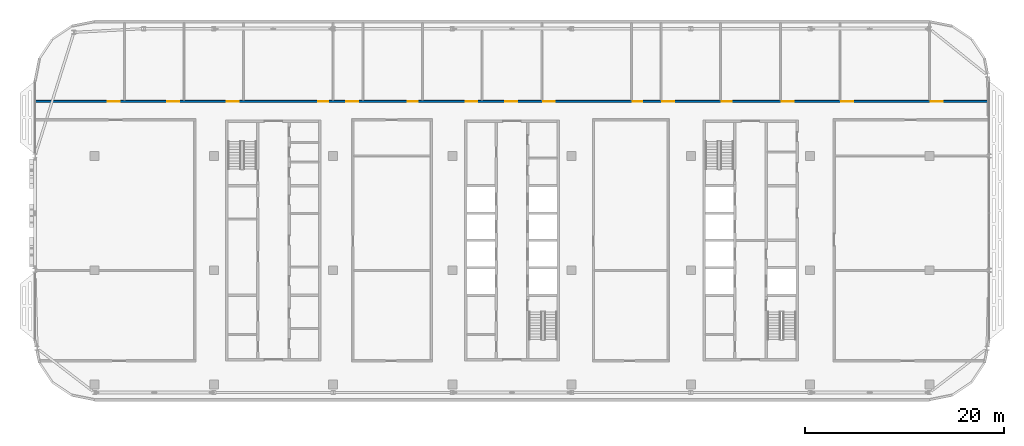
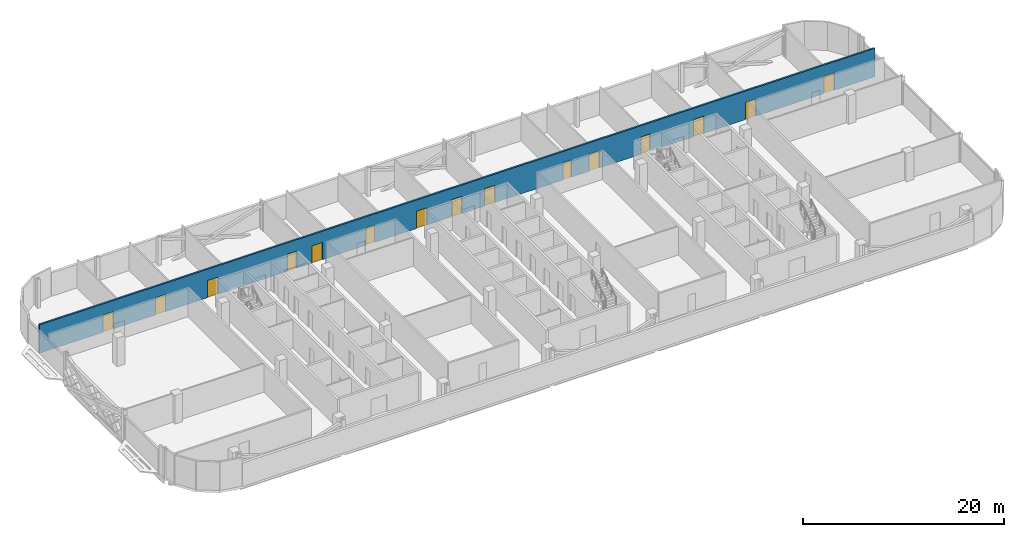
# One storey, part 16 of 29: 15 doors, 1 wall, 15 openings.
"""IFC4 building model written with IfcOpenShell, lengths in metres."""

from ifc_helpers import new_model, si_unit, direction, frame, frame_2d, origin, place, context, subcontext, project, spatial, rectangle, extrude, material, layer, layer_set, type_object, element, fill, save


model = new_model("IFC4")

# Units and contexts
model_context = context("Model", 3, precision=1e-05, world=origin(), true_north=direction((0.0, 1.0)))
body_context = subcontext(model_context, "Body", "Model", "MODEL_VIEW")
ifc_project = project(units=[si_unit("LENGTHUNIT", "METRE"), si_unit("AREAUNIT", "SQUARE_METRE"), si_unit("VOLUMEUNIT", "CUBIC_METRE"), si_unit("PLANEANGLEUNIT", "RADIAN"), si_unit("MASSUNIT", "GRAM", prefix="KILO")], contexts=[model_context])

# Site, building, storey
site_placement = place(None, origin())
site = spatial("IfcSite", under=ifc_project, at=site_placement, CompositionType="ELEMENT")
building_placement = place(site_placement, origin())
building = spatial("IfcBuilding", under=site, at=building_placement, Name="Mahtab Terrace Research Tower", CompositionType="ELEMENT")
storey_placement = place(building_placement, frame((0.0, 0.0, 274.699951171875)))
storey = spatial("IfcBuildingStorey", under=building, at=storey_placement, Name="L67", CompositionType="ELEMENT", Elevation=274.699951171875)

# Wall, openings, doors
ifc_material_1 = material(Name="Gypsum board corridor wall on steel studs", Category="steel")
ifc_layer = layer(ifc_material_1, 0.199951171875)
ifc_layer_set = layer_set([ifc_layer], Name="WALL CORRIDOR 200")
wall_type = type_object("IfcWallType", Name="WALL CORRIDOR 200", PredefinedType="PARTITIONING", material=ifc_layer_set)
wall_placement = place(storey_placement, frame((-47.97509765625, 17.0, 0.0), z_axis=(0.0, 0.0, 1.0), x_axis=(1.0, 0.0, 0.0)))
wall = element("IfcWall", 1, at=wall_placement, inside=storey, type_object=wall_type, Name="L67-W018", PredefinedType="PARTITIONING", context=body_context, shape_type="SweptSolid", body=[
    extrude(rectangle(XDim=95.9501953125, YDim=0.199951171875, at=frame_2d((47.97509765625, 0.0))), origin(), (0.0, 0.0, 1.0), 3.4599609375),
])
opening_1_placement = place(wall_placement, frame((7.300048828125, 0.0, 0.0)))
opening_1 = element("IfcOpeningElement", 2, at=opening_1_placement, cuts=wall, Name="Opening L67-111", PredefinedType="OPENING", context=body_context, shape_type="SweptSolid", body=[
    extrude(rectangle(XDim=1.199951171875, YDim=2.10009765625, at=frame_2d((0.60009765625, 1.050048828125))), frame((0.0, 0.10986328125, 0.0), z_axis=(0.0, -1.0, 0.0), x_axis=(1.0, 0.0, 0.0)), (0.0, 0.0, 1.0), 0.219970703125),
])
opening_2_placement = place(wall_placement, frame((13.300048828125, 0.0, 0.0)))
opening_2 = element("IfcOpeningElement", 3, at=opening_2_placement, cuts=wall, Name="Opening L67-112", PredefinedType="OPENING", context=body_context, shape_type="SweptSolid", body=[
    extrude(rectangle(XDim=1.199951171875, YDim=2.10009765625, at=frame_2d((0.60009765625, 1.050048828125))), frame((0.0, 0.10986328125, 0.0), z_axis=(0.0, -1.0, 0.0), x_axis=(1.0, 0.0, 0.0)), (0.0, 0.0, 1.0), 0.219970703125),
])
opening_3_placement = place(wall_placement, frame((19.300048828125, 0.0, 0.0)))
opening_3 = element("IfcOpeningElement", 4, at=opening_3_placement, cuts=wall, Name="Opening L67-113", PredefinedType="OPENING", context=body_context, shape_type="SweptSolid", body=[
    extrude(rectangle(XDim=1.199951171875, YDim=2.10009765625, at=frame_2d((0.60009765625, 1.050048828125))), frame((0.0, 0.10986328125, 0.0), z_axis=(0.0, -1.0, 0.0), x_axis=(1.0, 0.0, 0.0)), (0.0, 0.0, 1.0), 0.219970703125),
])
opening_4_placement = place(wall_placement, frame((28.5, 0.0, 0.0)))
opening_4 = element("IfcOpeningElement", 5, at=opening_4_placement, cuts=wall, Name="Opening L67-114", PredefinedType="OPENING", context=body_context, shape_type="SweptSolid", body=[
    extrude(rectangle(XDim=1.0, YDim=2.10009765625, at=frame_2d((0.5, 1.050048828125))), frame((0.0, 0.10986328125, 0.0), z_axis=(0.0, -1.0, 0.0), x_axis=(1.0, 0.0, 0.0)), (0.0, 0.0, 1.0), 0.219970703125),
])
opening_5_placement = place(wall_placement, frame((31.300048828125, 0.0, 0.0)))
opening_5 = element("IfcOpeningElement", 6, at=opening_5_placement, cuts=wall, Name="Opening L67-115", PredefinedType="OPENING", context=body_context, shape_type="SweptSolid", body=[
    extrude(rectangle(XDim=1.199951171875, YDim=2.10009765625, at=frame_2d((0.60009765625, 1.050048828125))), frame((0.0, 0.10986328125, 0.0), z_axis=(0.0, -1.0, 0.0), x_axis=(1.0, 0.0, 0.0)), (0.0, 0.0, 1.0), 0.219970703125),
])
opening_6_placement = place(wall_placement, frame((37.5, 0.0, 0.0)))
opening_6 = element("IfcOpeningElement", 7, at=opening_6_placement, cuts=wall, Name="Opening L67-116", PredefinedType="OPENING", context=body_context, shape_type="SweptSolid", body=[
    extrude(rectangle(XDim=1.0, YDim=2.10009765625, at=frame_2d((0.5, 1.050048828125))), frame((0.0, 0.10986328125, 0.0), z_axis=(0.0, -1.0, 0.0), x_axis=(1.0, 0.0, 0.0)), (0.0, 0.0, 1.0), 0.219970703125),
])
opening_7_placement = place(wall_placement, frame((43.300048828125, 0.0, 0.0)))
opening_7 = element("IfcOpeningElement", 8, at=opening_7_placement, cuts=wall, Name="Opening L67-117", PredefinedType="OPENING", context=body_context, shape_type="SweptSolid", body=[
    extrude(rectangle(XDim=1.199951171875, YDim=2.10009765625, at=frame_2d((0.60009765625, 1.050048828125))), frame((0.0, 0.10986328125, 0.0), z_axis=(0.0, -1.0, 0.0), x_axis=(1.0, 0.0, 0.0)), (0.0, 0.0, 1.0), 0.219970703125),
])
opening_8_placement = place(wall_placement, frame((47.300048828125, 0.0, 0.0)))
opening_8 = element("IfcOpeningElement", 9, at=opening_8_placement, cuts=wall, Name="Opening L67-118", PredefinedType="OPENING", context=body_context, shape_type="SweptSolid", body=[
    extrude(rectangle(XDim=1.199951171875, YDim=2.10009765625, at=frame_2d((0.60009765625, 1.050048828125))), frame((0.0, 0.10986328125, 0.0), z_axis=(0.0, -1.0, 0.0), x_axis=(1.0, 0.0, 0.0)), (0.0, 0.0, 1.0), 0.219970703125),
])
opening_9_placement = place(wall_placement, frame((51.10009765625, 0.0, 0.0)))
opening_9 = element("IfcOpeningElement", 10, at=opening_9_placement, cuts=wall, Name="Opening L67-119", PredefinedType="OPENING", context=body_context, shape_type="SweptSolid", body=[
    extrude(rectangle(XDim=1.199951171875, YDim=2.10009765625, at=frame_2d((0.60009765625, 1.050048828125))), frame((0.0, 0.10986328125, 0.0), z_axis=(0.0, -1.0, 0.0), x_axis=(1.0, 0.0, 0.0)), (0.0, 0.0, 1.0), 0.219970703125),
])
opening_10_placement = place(wall_placement, frame((60.10009765625, 0.0, 0.0)))
opening_10 = element("IfcOpeningElement", 11, at=opening_10_placement, cuts=wall, Name="Opening L67-120", PredefinedType="OPENING", context=body_context, shape_type="SweptSolid", body=[
    extrude(rectangle(XDim=1.0, YDim=2.10009765625, at=frame_2d((0.5, 1.050048828125))), frame((0.0, 0.10986328125, 0.0), z_axis=(0.0, -1.0, 0.0), x_axis=(1.0, 0.0, 0.0)), (0.0, 0.0, 1.0), 0.219970703125),
])
opening_11_placement = place(wall_placement, frame((63.10009765625, 0.0, 0.0)))
opening_11 = element("IfcOpeningElement", 12, at=opening_11_placement, cuts=wall, Name="Opening L67-121", PredefinedType="OPENING", context=body_context, shape_type="SweptSolid", body=[
    extrude(rectangle(XDim=1.199951171875, YDim=2.10009765625, at=frame_2d((0.60009765625, 1.050048828125))), frame((0.0, 0.10986328125, 0.0), z_axis=(0.0, -1.0, 0.0), x_axis=(1.0, 0.0, 0.0)), (0.0, 0.0, 1.0), 0.219970703125),
])
opening_12_placement = place(wall_placement, frame((69.10009765625, 0.0, 0.0)))
opening_12 = element("IfcOpeningElement", 13, at=opening_12_placement, cuts=wall, Name="Opening L67-122", PredefinedType="OPENING", context=body_context, shape_type="SweptSolid", body=[
    extrude(rectangle(XDim=1.0, YDim=2.10009765625, at=frame_2d((0.5, 1.050048828125))), frame((0.0, 0.10986328125, 0.0), z_axis=(0.0, -1.0, 0.0), x_axis=(1.0, 0.0, 0.0)), (0.0, 0.0, 1.0), 0.219970703125),
])
opening_13_placement = place(wall_placement, frame((75.10009765625, 0.0, 0.0)))
opening_13 = element("IfcOpeningElement", 14, at=opening_13_placement, cuts=wall, Name="Opening L67-123", PredefinedType="OPENING", context=body_context, shape_type="SweptSolid", body=[
    extrude(rectangle(XDim=1.199951171875, YDim=2.10009765625, at=frame_2d((0.60009765625, 1.050048828125))), frame((0.0, 0.10986328125, 0.0), z_axis=(0.0, -1.0, 0.0), x_axis=(1.0, 0.0, 0.0)), (0.0, 0.0, 1.0), 0.219970703125),
])
opening_14_placement = place(wall_placement, frame((81.10009765625, 0.0, 0.0)))
opening_14 = element("IfcOpeningElement", 15, at=opening_14_placement, cuts=wall, Name="Opening L67-124", PredefinedType="OPENING", context=body_context, shape_type="SweptSolid", body=[
    extrude(rectangle(XDim=1.199951171875, YDim=2.10009765625, at=frame_2d((0.60009765625, 1.050048828125))), frame((0.0, 0.10986328125, 0.0), z_axis=(0.0, -1.0, 0.0), x_axis=(1.0, 0.0, 0.0)), (0.0, 0.0, 1.0), 0.219970703125),
])
opening_15_placement = place(wall_placement, frame((90.10009765625, 0.0, 0.0)))
opening_15 = element("IfcOpeningElement", 16, at=opening_15_placement, cuts=wall, Name="Opening L67-125", PredefinedType="OPENING", context=body_context, shape_type="SweptSolid", body=[
    extrude(rectangle(XDim=1.199951171875, YDim=2.10009765625, at=frame_2d((0.60009765625, 1.050048828125))), frame((0.0, 0.10986328125, 0.0), z_axis=(0.0, -1.0, 0.0), x_axis=(1.0, 0.0, 0.0)), (0.0, 0.0, 1.0), 0.219970703125),
])
ifc_material_2 = material(Name="Timber door leaf in steel frame", Category="steel")
door_type_1 = type_object("IfcDoorType", Name="DOOR 1000X2100 FD30S", OperationType="SINGLE_SWING_LEFT", PredefinedType="DOOR", material=ifc_material_2)
door_1_placement = place(opening_4_placement, origin())
door_1 = element("IfcDoor", 17, at=door_1_placement, inside=storey, type_object=door_type_1, Name="Door L67-114", OperationType="SINGLE_SWING_LEFT", OverallHeight=2.10009765625, OverallWidth=1.0, PredefinedType="DOOR", context=body_context, shape_type="SweptSolid", body=[
    extrude(rectangle(XDim=1.0, YDim=2.10009765625, at=frame_2d((0.5, 1.050048828125))), frame((0.0, 0.02490234375, 0.0), z_axis=(0.0, -1.0, 0.0), x_axis=(1.0, 0.0, 0.0)), (0.0, 0.0, 1.0), 0.050048828125),
])
fill(opening_4, door_1)
door_2_placement = place(opening_6_placement, origin())
door_2 = element("IfcDoor", 18, at=door_2_placement, inside=storey, type_object=door_type_1, Name="Door L67-116", OperationType="SINGLE_SWING_LEFT", OverallHeight=2.10009765625, OverallWidth=1.0, PredefinedType="DOOR", context=body_context, shape_type="SweptSolid", body=[
    extrude(rectangle(XDim=1.0, YDim=2.10009765625, at=frame_2d((0.5, 1.050048828125))), frame((0.0, 0.02490234375, 0.0), z_axis=(0.0, -1.0, 0.0), x_axis=(1.0, 0.0, 0.0)), (0.0, 0.0, 1.0), 0.050048828125),
])
fill(opening_6, door_2)
door_3_placement = place(opening_10_placement, origin())
door_3 = element("IfcDoor", 19, at=door_3_placement, inside=storey, type_object=door_type_1, Name="Door L67-120", OperationType="SINGLE_SWING_RIGHT", OverallHeight=2.10009765625, OverallWidth=1.0, PredefinedType="DOOR", context=body_context, shape_type="SweptSolid", body=[
    extrude(rectangle(XDim=1.0, YDim=2.10009765625, at=frame_2d((0.5, 1.050048828125))), frame((0.0, 0.02490234375, 0.0), z_axis=(0.0, -1.0, 0.0), x_axis=(1.0, 0.0, 0.0)), (0.0, 0.0, 1.0), 0.050048828125),
])
fill(opening_10, door_3)
door_4_placement = place(opening_12_placement, origin())
door_4 = element("IfcDoor", 20, at=door_4_placement, inside=storey, type_object=door_type_1, Name="Door L67-122", OperationType="SINGLE_SWING_RIGHT", OverallHeight=2.10009765625, OverallWidth=1.0, PredefinedType="DOOR", context=body_context, shape_type="SweptSolid", body=[
    extrude(rectangle(XDim=1.0, YDim=2.10009765625, at=frame_2d((0.5, 1.050048828125))), frame((0.0, 0.02490234375, 0.0), z_axis=(0.0, -1.0, 0.0), x_axis=(1.0, 0.0, 0.0)), (0.0, 0.0, 1.0), 0.050048828125),
])
fill(opening_12, door_4)
door_type_2 = type_object("IfcDoorType", Name="DOOR 1200X2100 FD30S", OperationType="SINGLE_SWING_LEFT", PredefinedType="DOOR", material=ifc_material_2)
door_5_placement = place(opening_1_placement, origin())
door_5 = element("IfcDoor", 21, at=door_5_placement, inside=storey, type_object=door_type_2, Name="Door L67-111", OperationType="SINGLE_SWING_LEFT", OverallHeight=2.10009765625, OverallWidth=1.199951171875, PredefinedType="DOOR", context=body_context, shape_type="SweptSolid", body=[
    extrude(rectangle(XDim=1.199951171875, YDim=2.10009765625, at=frame_2d((0.60009765625, 1.050048828125))), frame((0.0, 0.02490234375, 0.0), z_axis=(0.0, -1.0, 0.0), x_axis=(1.0, 0.0, 0.0)), (0.0, 0.0, 1.0), 0.050048828125),
])
fill(opening_1, door_5)
door_6_placement = place(opening_2_placement, origin())
door_6 = element("IfcDoor", 22, at=door_6_placement, inside=storey, type_object=door_type_2, Name="Door L67-112", OperationType="SINGLE_SWING_LEFT", OverallHeight=2.10009765625, OverallWidth=1.199951171875, PredefinedType="DOOR", context=body_context, shape_type="SweptSolid", body=[
    extrude(rectangle(XDim=1.199951171875, YDim=2.10009765625, at=frame_2d((0.60009765625, 1.050048828125))), frame((0.0, 0.02490234375, 0.0), z_axis=(0.0, -1.0, 0.0), x_axis=(1.0, 0.0, 0.0)), (0.0, 0.0, 1.0), 0.050048828125),
])
fill(opening_2, door_6)
door_7_placement = place(opening_3_placement, origin())
door_7 = element("IfcDoor", 23, at=door_7_placement, inside=storey, type_object=door_type_2, Name="Door L67-113", OperationType="SINGLE_SWING_LEFT", OverallHeight=2.10009765625, OverallWidth=1.199951171875, PredefinedType="DOOR", context=body_context, shape_type="SweptSolid", body=[
    extrude(rectangle(XDim=1.199951171875, YDim=2.10009765625, at=frame_2d((0.60009765625, 1.050048828125))), frame((0.0, 0.02490234375, 0.0), z_axis=(0.0, -1.0, 0.0), x_axis=(1.0, 0.0, 0.0)), (0.0, 0.0, 1.0), 0.050048828125),
])
fill(opening_3, door_7)
door_8_placement = place(opening_5_placement, origin())
door_8 = element("IfcDoor", 24, at=door_8_placement, inside=storey, type_object=door_type_2, Name="Door L67-115", OperationType="SINGLE_SWING_LEFT", OverallHeight=2.10009765625, OverallWidth=1.199951171875, PredefinedType="DOOR", context=body_context, shape_type="SweptSolid", body=[
    extrude(rectangle(XDim=1.199951171875, YDim=2.10009765625, at=frame_2d((0.60009765625, 1.050048828125))), frame((0.0, 0.02490234375, 0.0), z_axis=(0.0, -1.0, 0.0), x_axis=(1.0, 0.0, 0.0)), (0.0, 0.0, 1.0), 0.050048828125),
])
fill(opening_5, door_8)
door_9_placement = place(opening_7_placement, origin())
door_9 = element("IfcDoor", 25, at=door_9_placement, inside=storey, type_object=door_type_2, Name="Door L67-117", OperationType="SINGLE_SWING_LEFT", OverallHeight=2.10009765625, OverallWidth=1.199951171875, PredefinedType="DOOR", context=body_context, shape_type="SweptSolid", body=[
    extrude(rectangle(XDim=1.199951171875, YDim=2.10009765625, at=frame_2d((0.60009765625, 1.050048828125))), frame((0.0, 0.02490234375, 0.0), z_axis=(0.0, -1.0, 0.0), x_axis=(1.0, 0.0, 0.0)), (0.0, 0.0, 1.0), 0.050048828125),
])
fill(opening_7, door_9)
door_10_placement = place(opening_8_placement, origin())
door_10 = element("IfcDoor", 26, at=door_10_placement, inside=storey, type_object=door_type_2, Name="Door L67-118", OperationType="SINGLE_SWING_RIGHT", OverallHeight=2.10009765625, OverallWidth=1.199951171875, PredefinedType="DOOR", context=body_context, shape_type="SweptSolid", body=[
    extrude(rectangle(XDim=1.199951171875, YDim=2.10009765625, at=frame_2d((0.60009765625, 1.050048828125))), frame((0.0, 0.02490234375, 0.0), z_axis=(0.0, -1.0, 0.0), x_axis=(1.0, 0.0, 0.0)), (0.0, 0.0, 1.0), 0.050048828125),
])
fill(opening_8, door_10)
door_11_placement = place(opening_9_placement, origin())
door_11 = element("IfcDoor", 27, at=door_11_placement, inside=storey, type_object=door_type_2, Name="Door L67-119", OperationType="SINGLE_SWING_RIGHT", OverallHeight=2.10009765625, OverallWidth=1.199951171875, PredefinedType="DOOR", context=body_context, shape_type="SweptSolid", body=[
    extrude(rectangle(XDim=1.199951171875, YDim=2.10009765625, at=frame_2d((0.60009765625, 1.050048828125))), frame((0.0, 0.02490234375, 0.0), z_axis=(0.0, -1.0, 0.0), x_axis=(1.0, 0.0, 0.0)), (0.0, 0.0, 1.0), 0.050048828125),
])
fill(opening_9, door_11)
door_12_placement = place(opening_11_placement, origin())
door_12 = element("IfcDoor", 28, at=door_12_placement, inside=storey, type_object=door_type_2, Name="Door L67-121", OperationType="SINGLE_SWING_RIGHT", OverallHeight=2.10009765625, OverallWidth=1.199951171875, PredefinedType="DOOR", context=body_context, shape_type="SweptSolid", body=[
    extrude(rectangle(XDim=1.199951171875, YDim=2.10009765625, at=frame_2d((0.60009765625, 1.050048828125))), frame((0.0, 0.02490234375, 0.0), z_axis=(0.0, -1.0, 0.0), x_axis=(1.0, 0.0, 0.0)), (0.0, 0.0, 1.0), 0.050048828125),
])
fill(opening_11, door_12)
door_13_placement = place(opening_13_placement, origin())
door_13 = element("IfcDoor", 29, at=door_13_placement, inside=storey, type_object=door_type_2, Name="Door L67-123", OperationType="SINGLE_SWING_RIGHT", OverallHeight=2.10009765625, OverallWidth=1.199951171875, PredefinedType="DOOR", context=body_context, shape_type="SweptSolid", body=[
    extrude(rectangle(XDim=1.199951171875, YDim=2.10009765625, at=frame_2d((0.60009765625, 1.050048828125))), frame((0.0, 0.02490234375, 0.0), z_axis=(0.0, -1.0, 0.0), x_axis=(1.0, 0.0, 0.0)), (0.0, 0.0, 1.0), 0.050048828125),
])
fill(opening_13, door_13)
door_14_placement = place(opening_14_placement, origin())
door_14 = element("IfcDoor", 30, at=door_14_placement, inside=storey, type_object=door_type_2, Name="Door L67-124", OperationType="SINGLE_SWING_RIGHT", OverallHeight=2.10009765625, OverallWidth=1.199951171875, PredefinedType="DOOR", context=body_context, shape_type="SweptSolid", body=[
    extrude(rectangle(XDim=1.199951171875, YDim=2.10009765625, at=frame_2d((0.60009765625, 1.050048828125))), frame((0.0, 0.02490234375, 0.0), z_axis=(0.0, -1.0, 0.0), x_axis=(1.0, 0.0, 0.0)), (0.0, 0.0, 1.0), 0.050048828125),
])
fill(opening_14, door_14)
door_15_placement = place(opening_15_placement, origin())
door_15 = element("IfcDoor", 31, at=door_15_placement, inside=storey, type_object=door_type_2, Name="Door L67-125", OperationType="SINGLE_SWING_RIGHT", OverallHeight=2.10009765625, OverallWidth=1.199951171875, PredefinedType="DOOR", context=body_context, shape_type="SweptSolid", body=[
    extrude(rectangle(XDim=1.199951171875, YDim=2.10009765625, at=frame_2d((0.60009765625, 1.050048828125))), frame((0.0, 0.02490234375, 0.0), z_axis=(0.0, -1.0, 0.0), x_axis=(1.0, 0.0, 0.0)), (0.0, 0.0, 1.0), 0.050048828125),
])
fill(opening_15, door_15)

save(model, "model.ifc")
